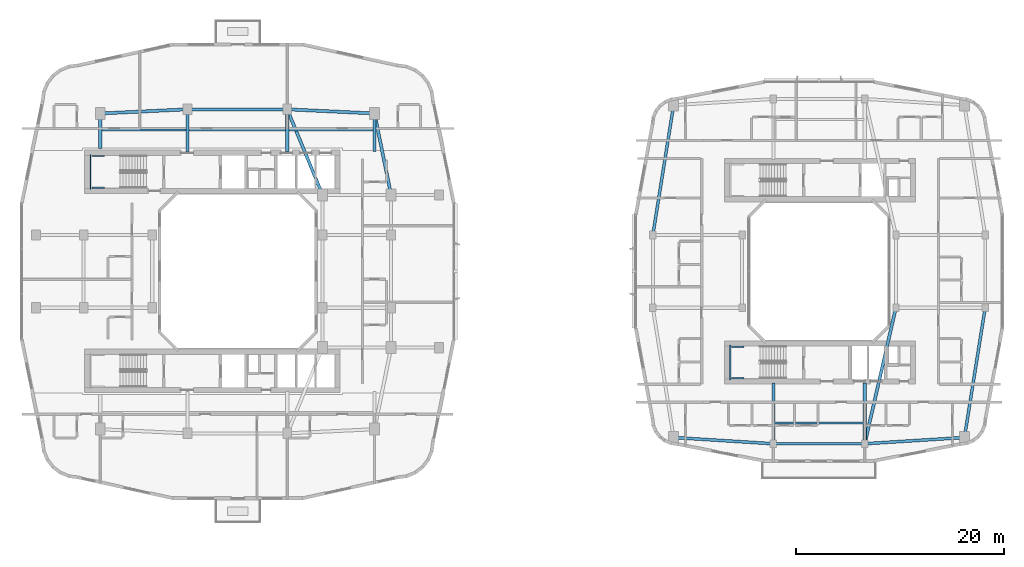
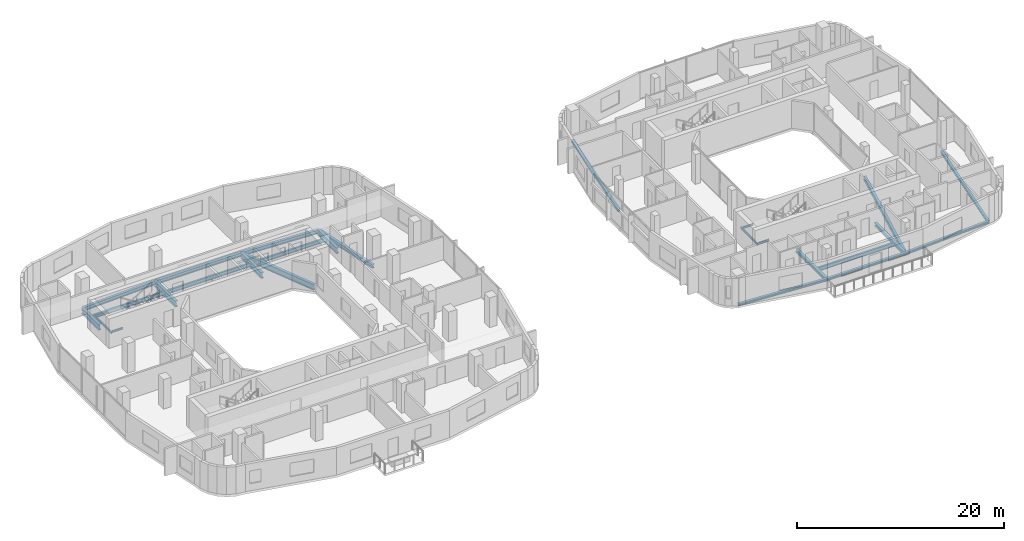
# One storey, part 5 of 24: 27 beams.
"""IFC4 building model written with IfcOpenShell, lengths in metres."""

from ifc_helpers import new_model, si_unit, derived_unit, direction, frame, origin, origin_2d, place, context, subcontext, project, spatial, i_section, extrude, material, material_profile, profile_set, type_object, element, save


model = new_model("IFC4")

# Units and contexts
model_context = context("Model", 3, precision=1e-05, world=origin(), true_north=direction((0.0, 1.0)))
body_context = subcontext(model_context, "Body", "Model", "MODEL_VIEW")
ifc_project = project(units=[si_unit("LENGTHUNIT", "METRE"), si_unit("AREAUNIT", "SQUARE_METRE"), si_unit("VOLUMEUNIT", "CUBIC_METRE"), si_unit("PLANEANGLEUNIT", "RADIAN"), si_unit("MASSUNIT", "GRAM", prefix="KILO"), derived_unit("THERMALTRANSMITTANCEUNIT", [(si_unit("POWERUNIT", "WATT"), 1), (si_unit("LENGTHUNIT", "METRE"), -2), (si_unit("THERMODYNAMICTEMPERATUREUNIT", "KELVIN"), -1)])], contexts=[model_context])

# Site, building, storey
site_placement = place(None, origin())
site = spatial("IfcSite", under=ifc_project, at=site_placement, CompositionType="ELEMENT")
building_placement = place(site_placement, origin())
building = spatial("IfcBuilding", under=site, at=building_placement, Name="Kivonza Crest Hotel", CompositionType="ELEMENT")
storey_placement = place(building_placement, frame((0.0, 0.0, 80.0)))
storey = spatial("IfcBuildingStorey", under=building, at=storey_placement, Name="L21", CompositionType="ELEMENT", Elevation=80.0)

# Beams
ifc_material = material(Name="Steel S355", Category="steel")
ifc_material_profile_1 = material_profile(ifc_material, i_section(OverallWidth=0.280029296875, OverallDepth=0.280029296875, WebThickness=0.010498046875, FlangeThickness=0.01806640625, FilletRadius=0.02392578125, at=origin_2d()), Name="HEB 280")
ifc_profile_set_1 = profile_set([ifc_material_profile_1], Name="Steel S355")
beam_type_1 = type_object("IfcBeamType", Name="BM-HEB280", PredefinedType="SPANDREL", material=ifc_profile_set_1)
beam_1_placement = place(storey_placement, frame((72.60009765625, 8.39990234375, -0.389892578125), z_axis=(1.0, 0.0, 0.0), x_axis=(0.0, 1.0, 0.0)))
element("IfcBeam", 1, at=beam_1_placement, inside=storey, type_object=beam_type_1, Name="Companion Tower T2 L21 perimeter spandrel S1-S2", PredefinedType="SPANDREL", context=body_context, shape_type="SweptSolid", body=[
    extrude(i_section(OverallWidth=0.280029296875, OverallDepth=0.280029296875, WebThickness=0.010498046875, FlangeThickness=0.01806640625, FilletRadius=0.02392578125, at=origin_2d()), origin(), (0.0, 0.0, 1.0), 8.7998046875),
])
beam_2_placement = place(storey_placement, frame((81.39990234375, 8.39990234375, -0.389892578125), z_axis=(0.998051985873, 0.062387767186, 0.0), x_axis=(-0.062387767186, 0.998051985873, 0.0)))
element("IfcBeam", 2, at=beam_2_placement, inside=storey, type_object=beam_type_1, Name="Companion Tower T2 L21 perimeter spandrel S2-SE", PredefinedType="SPANDREL", context=body_context, shape_type="SweptSolid", body=[
    extrude(i_section(OverallWidth=0.280029296875, OverallDepth=0.280029296875, WebThickness=0.010498046875, FlangeThickness=0.01806640625, FilletRadius=0.02392578125, at=origin_2d()), origin(), (0.0, 0.0, 1.0), 9.618896484375),
])
for number, where, z_axis, x_axis, name in (
    (3, (91.0, 9.0, -0.389892578125), (0.157990501107, 0.987440631917, 0.0), (-0.987440631917, 0.157990501107, 0.0), "Companion Tower T2 L21 perimeter spandrel SE-E1"),
    (4, (63.0, 41.0, -0.389892578125), (-0.157990501107, -0.987440631917, 0.0), (0.987440631917, -0.157990501107, 0.0), "Companion Tower T2 L21 perimeter spandrel NW-W2"),
):
    element("IfcBeam", number, at=place(storey_placement, frame(where, z_axis=z_axis, x_axis=x_axis)), inside=storey, type_object=beam_type_1, Name=name, PredefinedType="SPANDREL", context=body_context, shape_type="SweptSolid", body=[
        extrude(i_section(OverallWidth=0.280029296875, OverallDepth=0.280029296875, WebThickness=0.010498046875, FlangeThickness=0.01806640625, FilletRadius=0.02392578125, at=origin_2d()), origin(), (0.0, 0.0, 1.0), 12.658935546875),
    ])
beam_3_placement = place(storey_placement, frame((63.0, 9.0, -0.389892578125), z_axis=(0.998051985873, -0.062387767186, 0.0), x_axis=(0.062387767186, 0.998051985873, 0.0)))
element("IfcBeam", 5, at=beam_3_placement, inside=storey, type_object=beam_type_1, Name="Companion Tower T2 L21 perimeter spandrel SW-S1", PredefinedType="SPANDREL", context=body_context, shape_type="SweptSolid", body=[
    extrude(i_section(OverallWidth=0.280029296875, OverallDepth=0.280029296875, WebThickness=0.010498046875, FlangeThickness=0.01806640625, FilletRadius=0.02392578125, at=origin_2d()), origin(), (0.0, 0.0, 1.0), 9.618896484375),
])
ifc_material_profile_2 = material_profile(ifc_material, i_section(OverallWidth=0.300048828125, OverallDepth=0.39990234375, WebThickness=0.013427734375, FlangeThickness=0.02392578125, FilletRadius=0.027099609375, at=origin_2d()), Name="HEB 400")
ifc_profile_set_2 = profile_set([ifc_material_profile_2], Name="Steel S355")
beam_type_2 = type_object("IfcBeamType", Name="BM-HEB400", PredefinedType="BEAM", material=ifc_profile_set_2)
beam_4_placement = place(storey_placement, frame((84.39990234375, 21.5, -0.449951171875), z_axis=(-0.223227287589, -0.974766422317, 0.0), x_axis=(0.974766422317, -0.223227287589, 0.0)))
element("IfcBeam", 6, at=beam_4_placement, inside=storey, type_object=beam_type_2, Name="Companion Tower T2 L21 girder WR1-S2", PredefinedType="BEAM", context=body_context, shape_type="SweptSolid", body=[
    extrude(i_section(OverallWidth=0.300048828125, OverallDepth=0.39990234375, WebThickness=0.013427734375, FlangeThickness=0.02392578125, FilletRadius=0.027099609375, at=origin_2d()), origin(), (0.0, 0.0, 1.0), 13.439208984375),
])
for number, where, z_axis, x_axis, name in (
    (7, (72.60009765625, 8.39990234375, -0.449951171875), (0.0, 1.0, 0.0), (-1.0, 0.0, 0.0), "Companion T2 L21 radial core girder RS1"),
    (8, (81.39990234375, 8.39990234375, -0.449951171875), (0.0, 1.0, 0.0), (-1.0, 0.0, 0.0), "Companion T2 L21 radial core girder RS2"),
):
    element("IfcBeam", number, at=place(storey_placement, frame(where, z_axis=z_axis, x_axis=x_axis)), inside=storey, type_object=beam_type_2, Name=name, PredefinedType="BEAM", context=body_context, shape_type="SweptSolid", body=[
        extrude(i_section(OverallWidth=0.300048828125, OverallDepth=0.39990234375, WebThickness=0.013427734375, FlangeThickness=0.02392578125, FilletRadius=0.027099609375, at=origin_2d()), origin(), (0.0, 0.0, 1.0), 5.85009765625),
    ])
ifc_material_profile_3 = material_profile(ifc_material, i_section(OverallWidth=0.300048828125, OverallDepth=0.449951171875, WebThickness=0.013916015625, FlangeThickness=0.02587890625, FilletRadius=0.027099609375, at=origin_2d()), Name="HEB 450")
ifc_profile_set_3 = profile_set([ifc_material_profile_3], Name="Steel S355")
beam_type_3 = type_object("IfcBeamType", Name="BM-HEB450", PredefinedType="SPANDREL", material=ifc_profile_set_3)
beam_5_placement = place(storey_placement, frame((35.800048828125, 32.35009765625, -0.5048828125), z_axis=(-0.199730733965, 0.979850822273, 0.0), x_axis=(-0.979850822273, -0.199730733965, 0.0)))
element("IfcBeam", 9, at=beam_5_placement, inside=storey, type_object=beam_type_3, Name="Tower T1 L21 perimeter spandrel PNE-NE", PredefinedType="SPANDREL", context=body_context, shape_type="SweptSolid", body=[
    extrude(i_section(OverallWidth=0.300048828125, OverallDepth=0.449951171875, WebThickness=0.013916015625, FlangeThickness=0.02587890625, FilletRadius=0.027099609375, at=origin_2d()), origin(), (0.0, 0.0, 1.0), 8.01123046875),
])
beam_6_placement = place(storey_placement, frame((34.199951171875, 40.199951171875, -0.5048828125), z_axis=(-0.998867283688, 0.047583080799, 0.0), x_axis=(-0.047583080799, -0.998867283688, 0.0)))
element("IfcBeam", 10, at=beam_6_placement, inside=storey, type_object=beam_type_3, Name="Tower T1 L21 perimeter spandrel NE-N2", PredefinedType="SPANDREL", context=body_context, shape_type="SweptSolid", body=[
    extrude(i_section(OverallWidth=0.300048828125, OverallDepth=0.449951171875, WebThickness=0.013916015625, FlangeThickness=0.02587890625, FilletRadius=0.027099609375, at=origin_2d()), origin(), (0.0, 0.0, 1.0), 8.409423828125),
])
beam_7_placement = place(storey_placement, frame((25.800048828125, 40.60009765625, -0.5048828125), z_axis=(-1.0, 0.0, 0.0), x_axis=(0.0, -1.0, 0.0)))
element("IfcBeam", 11, at=beam_7_placement, inside=storey, type_object=beam_type_3, Name="Tower T1 L21 perimeter spandrel N2-N1", PredefinedType="SPANDREL", context=body_context, shape_type="SweptSolid", body=[
    extrude(i_section(OverallWidth=0.300048828125, OverallDepth=0.449951171875, WebThickness=0.013916015625, FlangeThickness=0.02587890625, FilletRadius=0.027099609375, at=origin_2d()), origin(), (0.0, 0.0, 1.0), 9.60009765625),
])
beam_8_placement = place(storey_placement, frame((16.199951171875, 40.60009765625, -0.5048828125), z_axis=(-0.998867283688, -0.047583080799, 0.0), x_axis=(0.047583080799, -0.998867283688, 0.0)))
element("IfcBeam", 12, at=beam_8_placement, inside=storey, type_object=beam_type_3, Name="Tower T1 L21 perimeter spandrel N1-NW", PredefinedType="SPANDREL", context=body_context, shape_type="SweptSolid", body=[
    extrude(i_section(OverallWidth=0.300048828125, OverallDepth=0.449951171875, WebThickness=0.013916015625, FlangeThickness=0.02587890625, FilletRadius=0.027099609375, at=origin_2d()), origin(), (0.0, 0.0, 1.0), 8.409423828125),
])
ifc_material_profile_4 = material_profile(ifc_material, i_section(OverallWidth=0.300048828125, OverallDepth=0.699951171875, WebThickness=0.01708984375, FlangeThickness=0.031982421875, FilletRadius=0.027099609375, at=origin_2d()), Name="HEB 700")
ifc_profile_set_4 = profile_set([ifc_material_profile_4], Name="Steel S355")
beam_type_4 = type_object("IfcBeamType", Name="BM-HEB700", PredefinedType="BEAM", material=ifc_profile_set_4)
beam_9_placement = place(storey_placement, frame((25.800048828125, 40.60009765625, -0.6298828125), z_axis=(0.381022260404, -0.924565864109, 0.0), x_axis=(0.924565864109, 0.381022260404, 0.0)))
element("IfcBeam", 13, at=beam_9_placement, inside=storey, type_object=beam_type_4, Name="Tower T1 L21 primary girder N1-TNE", PredefinedType="BEAM", context=body_context, shape_type="SweptSolid", body=[
    extrude(i_section(OverallWidth=0.300048828125, OverallDepth=0.699951171875, WebThickness=0.01708984375, FlangeThickness=0.031982421875, FilletRadius=0.027099609375, at=origin_2d()), origin(), (0.0, 0.0, 1.0), 8.923095703125),
])
beam_10_placement = place(storey_placement, frame((7.800048828125, 40.199951171875, -0.6298828125), z_axis=(0.0, -1.0, 0.0), x_axis=(1.0, 0.0, 0.0)))
element("IfcBeam", 14, at=beam_10_placement, inside=storey, type_object=beam_type_4, Name="Tower T1 L21 radial core girder RNW", PredefinedType="BEAM", context=body_context, shape_type="SweptSolid", body=[
    extrude(i_section(OverallWidth=0.300048828125, OverallDepth=0.699951171875, WebThickness=0.01708984375, FlangeThickness=0.031982421875, FilletRadius=0.027099609375, at=origin_2d()), origin(), (0.0, 0.0, 1.0), 3.349853515625),
])
for number, where, z_axis, x_axis, name in (
    (15, (16.199951171875, 40.60009765625, -0.6298828125), (0.0, -1.0, 0.0), (1.0, 0.0, 0.0), "Tower T1 L21 radial core girder RN1"),
    (16, (25.800048828125, 40.60009765625, -0.6298828125), (0.0, -1.0, 0.0), (1.0, 0.0, 0.0), "Tower T1 L21 radial core girder RN2"),
):
    element("IfcBeam", number, at=place(storey_placement, frame(where, z_axis=z_axis, x_axis=x_axis)), inside=storey, type_object=beam_type_4, Name=name, PredefinedType="BEAM", context=body_context, shape_type="SweptSolid", body=[
        extrude(i_section(OverallWidth=0.300048828125, OverallDepth=0.699951171875, WebThickness=0.01708984375, FlangeThickness=0.031982421875, FilletRadius=0.027099609375, at=origin_2d()), origin(), (0.0, 0.0, 1.0), 4.050048828125),
    ])
beam_11_placement = place(storey_placement, frame((34.199951171875, 40.199951171875, -0.6298828125), z_axis=(0.0, -1.0, 0.0), x_axis=(1.0, 0.0, 0.0)))
element("IfcBeam", 17, at=beam_11_placement, inside=storey, type_object=beam_type_4, Name="Tower T1 L21 radial core girder RNE", PredefinedType="BEAM", context=body_context, shape_type="SweptSolid", body=[
    extrude(i_section(OverallWidth=0.300048828125, OverallDepth=0.699951171875, WebThickness=0.01708984375, FlangeThickness=0.031982421875, FilletRadius=0.027099609375, at=origin_2d()), origin(), (0.0, 0.0, 1.0), 3.64990234375),
])
ifc_material_profile_5 = material_profile(ifc_material, i_section(OverallWidth=0.18994140625, OverallDepth=0.449951171875, WebThickness=0.009521484375, FlangeThickness=0.0146484375, FilletRadius=0.02099609375, at=origin_2d()), Name="IPE 450")
ifc_profile_set_5 = profile_set([ifc_material_profile_5], Name="Steel S355")
beam_type_5 = type_object("IfcBeamType", Name="BM-IPE450", PredefinedType="JOIST", material=ifc_profile_set_5)
beam_12_placement = place(storey_placement, frame((7.8798828125, 38.60009765625, -0.5048828125), z_axis=(1.0, 0.0, 0.0), x_axis=(0.0, 1.0, 0.0)))
element("IfcBeam", 18, at=beam_12_placement, inside=storey, type_object=beam_type_5, Name="Tower T1 L21 North-West floor joist", PredefinedType="JOIST", context=body_context, shape_type="SweptSolid", body=[
    extrude(i_section(OverallWidth=0.18994140625, OverallDepth=0.449951171875, WebThickness=0.009521484375, FlangeThickness=0.0146484375, FilletRadius=0.02099609375, at=origin_2d()), origin(), (0.0, 0.0, 1.0), 8.240234375),
])
beam_13_placement = place(storey_placement, frame((16.280029296875, 38.60009765625, -0.5048828125), z_axis=(1.0, 0.0, 0.0), x_axis=(0.0, 1.0, 0.0)))
element("IfcBeam", 19, at=beam_13_placement, inside=storey, type_object=beam_type_5, Name="Tower T1 L21 North-Mid floor joist", PredefinedType="JOIST", context=body_context, shape_type="SweptSolid", body=[
    extrude(i_section(OverallWidth=0.18994140625, OverallDepth=0.449951171875, WebThickness=0.009521484375, FlangeThickness=0.0146484375, FilletRadius=0.02099609375, at=origin_2d()), origin(), (0.0, 0.0, 1.0), 9.43994140625),
])
beam_14_placement = place(storey_placement, frame((25.8798828125, 38.60009765625, -0.5048828125), z_axis=(1.0, 0.0, 0.0), x_axis=(0.0, 1.0, 0.0)))
element("IfcBeam", 20, at=beam_14_placement, inside=storey, type_object=beam_type_5, Name="Tower T1 L21 North-East floor joist", PredefinedType="JOIST", context=body_context, shape_type="SweptSolid", body=[
    extrude(i_section(OverallWidth=0.18994140625, OverallDepth=0.449951171875, WebThickness=0.009521484375, FlangeThickness=0.0146484375, FilletRadius=0.02099609375, at=origin_2d()), origin(), (0.0, 0.0, 1.0), 8.240234375),
])
beam_15_placement = place(storey_placement, frame((72.679931640625, 10.39990234375, -0.47509765625), z_axis=(1.0, 0.0, 0.0), x_axis=(0.0, 1.0, 0.0)))
element("IfcBeam", 21, at=beam_15_placement, inside=storey, type_object=beam_type_5, Name="Companion Tower T2 L21 South floor joist", PredefinedType="JOIST", context=body_context, shape_type="SweptSolid", body=[
    extrude(i_section(OverallWidth=0.18994140625, OverallDepth=0.449951171875, WebThickness=0.009521484375, FlangeThickness=0.0146484375, FilletRadius=0.02099609375, at=origin_2d()), origin(), (0.0, 0.0, 1.0), 8.64013671875),
])
ifc_material_profile_6 = material_profile(ifc_material, i_section(OverallWidth=0.1201171875, OverallDepth=0.239990234375, WebThickness=0.006103515625, FlangeThickness=0.009765625, FilletRadius=0.014892578125, at=origin_2d()), Name="IPE 240")
ifc_profile_set_6 = profile_set([ifc_material_profile_6], Name="Steel S355")
beam_type_6 = type_object("IfcBeamType", Name="BM-LLDG-240", PredefinedType="BEAM", material=ifc_profile_set_6)
beam_16_placement = place(storey_placement, frame((6.860107421875, 32.89990234375, 1.429931640625), z_axis=(0.0, 1.0, 0.0), x_axis=(-1.0, 0.0, 0.0)))
element("IfcBeam", 22, at=beam_16_placement, inside=storey, type_object=beam_type_6, Name="Stair ST-T1-N L21 West landing corbel", PredefinedType="BEAM", context=body_context, shape_type="SweptSolid", body=[
    extrude(i_section(OverallWidth=0.1201171875, OverallDepth=0.239990234375, WebThickness=0.006103515625, FlangeThickness=0.009765625, FilletRadius=0.014892578125, at=origin_2d()), origin(), (0.0, 0.0, 1.0), 3.360107421875),
])
for number, where, z_axis, x_axis, name in (
    (23, (6.989990234375, 33.06005859375, 1.429931640625), (1.0, 0.0, 0.0), (0.0, 1.0, 0.0), "Stair ST-T1-N L21 South landing corbel"),
    (24, (6.989990234375, 36.10009765625, 1.429931640625), (1.0, 0.0, 0.0), (0.0, 1.0, 0.0), "Stair ST-T1-N L21 North landing corbel"),
):
    element("IfcBeam", number, at=place(storey_placement, frame(where, z_axis=z_axis, x_axis=x_axis)), inside=storey, type_object=beam_type_6, Name=name, PredefinedType="BEAM", context=body_context, shape_type="SweptSolid", body=[
        extrude(i_section(OverallWidth=0.1201171875, OverallDepth=0.239990234375, WebThickness=0.006103515625, FlangeThickness=0.009765625, FilletRadius=0.014892578125, at=origin_2d()), origin(), (0.0, 0.0, 1.0), 1.2099609375),
    ])
beam_17_placement = place(storey_placement, frame((68.4599609375, 14.5400390625, 1.429931640625), z_axis=(0.0, 1.0, 0.0), x_axis=(-1.0, 0.0, 0.0)))
element("IfcBeam", 25, at=beam_17_placement, inside=storey, type_object=beam_type_6, Name="Stair ST-T2-S L21 West landing corbel", PredefinedType="BEAM", context=body_context, shape_type="SweptSolid", body=[
    extrude(i_section(OverallWidth=0.1201171875, OverallDepth=0.239990234375, WebThickness=0.006103515625, FlangeThickness=0.009765625, FilletRadius=0.014892578125, at=origin_2d()), origin(), (0.0, 0.0, 1.0), 3.35986328125),
])
for number, where, z_axis, x_axis, name in (
    (26, (68.590087890625, 14.699951171875, 1.429931640625), (1.0, 0.0, 0.0), (0.0, 1.0, 0.0), "Stair ST-T2-S L21 South landing corbel"),
    (27, (68.590087890625, 17.739990234375, 1.429931640625), (1.0, 0.0, 0.0), (0.0, 1.0, 0.0), "Stair ST-T2-S L21 North landing corbel"),
):
    element("IfcBeam", number, at=place(storey_placement, frame(where, z_axis=z_axis, x_axis=x_axis)), inside=storey, type_object=beam_type_6, Name=name, PredefinedType="BEAM", context=body_context, shape_type="SweptSolid", body=[
        extrude(i_section(OverallWidth=0.1201171875, OverallDepth=0.239990234375, WebThickness=0.006103515625, FlangeThickness=0.009765625, FilletRadius=0.014892578125, at=origin_2d()), origin(), (0.0, 0.0, 1.0), 1.2099609375),
    ])

save(model, "model.ifc")
